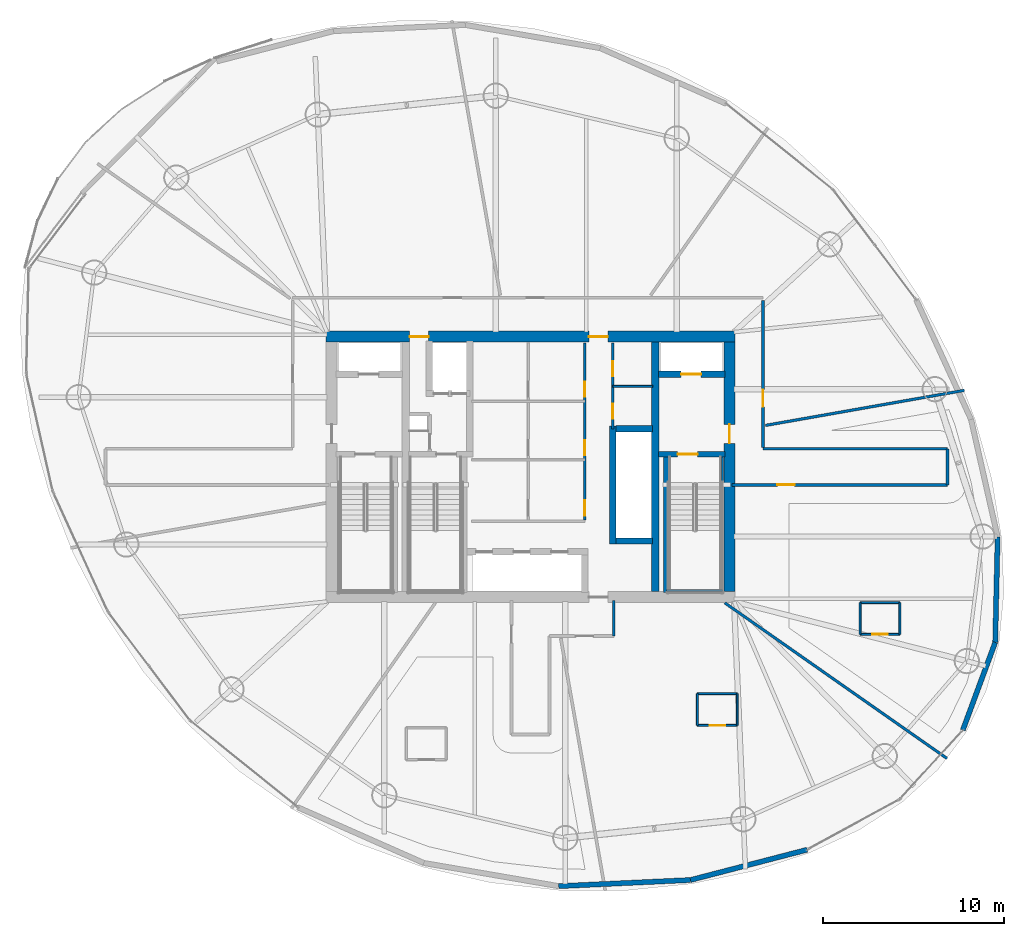
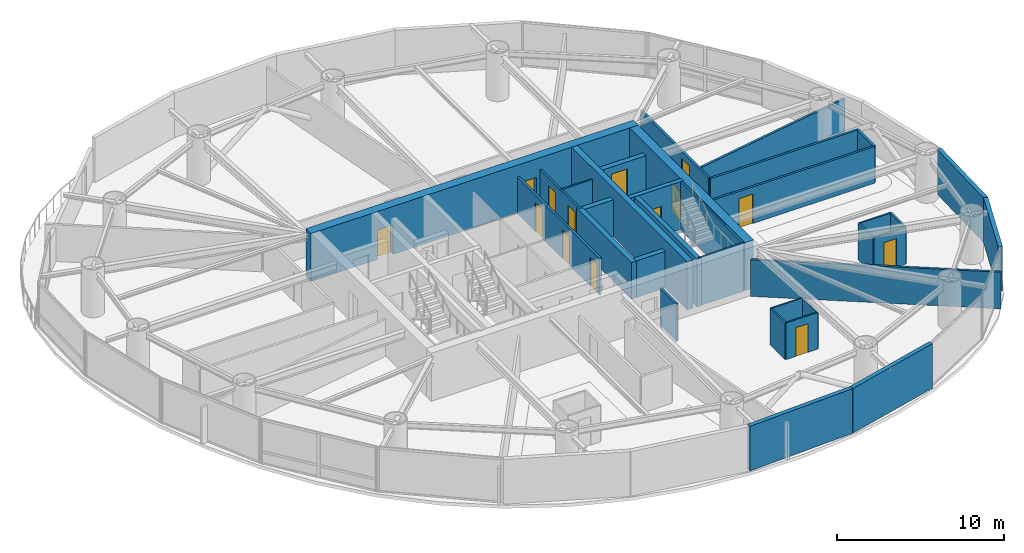
# One storey, part 16 of 20: 33 walls, 14 doors, 14 openings.
"""IFC4 building model written with IfcOpenShell, lengths in metres."""

from ifc_helpers import new_model, si_unit, direction, frame, frame_2d, origin, place, context, subcontext, project, spatial, rectangle, extrude, material, layer, layer_set, type_object, element, fill, save


model = new_model("IFC4")

# Units and contexts
model_context = context("Model", 3, precision=1e-05, world=origin(), true_north=direction((0.0, 1.0)))
body_context = subcontext(model_context, "Body", "Model", "MODEL_VIEW")
ifc_project = project(units=[si_unit("LENGTHUNIT", "METRE"), si_unit("AREAUNIT", "SQUARE_METRE"), si_unit("VOLUMEUNIT", "CUBIC_METRE"), si_unit("PLANEANGLEUNIT", "RADIAN"), si_unit("MASSUNIT", "GRAM", prefix="KILO")], contexts=[model_context])

# Site, building, storey
site_placement = place(None, origin())
site = spatial("IfcSite", under=ifc_project, at=site_placement, CompositionType="ELEMENT")
building_placement = place(site_placement, origin())
building = spatial("IfcBuilding", under=site, at=building_placement, Name="Bramvorn Convention Spire", CompositionType="ELEMENT")
storey_placement = place(building_placement, frame((0.0, 0.0, 155.300048828125)))
storey = spatial("IfcBuildingStorey", under=building, at=storey_placement, Name="L39", CompositionType="ELEMENT", Elevation=155.300048828125)

# Wall, openings, doors
ifc_material_1 = material(Name="Concrete C60/70", Category="concrete")
ifc_layer_1 = layer(ifc_material_1, 0.60009765625)
ifc_layer_set_1 = layer_set([ifc_layer_1], Name="Concrete C60/70 - WL-CORE-600")
wall_type_1 = type_object("IfcWallType", Name="WL-CORE-600", PredefinedType="SHEAR", material=ifc_layer_set_1)
wall_1_placement = place(storey_placement, frame((26.699951171875, 33.199951171875, 0.0), z_axis=(0.0, 0.0, 1.0), x_axis=(1.0, 0.0, 0.0)))
wall_1 = element("IfcWall", 1, at=wall_1_placement, inside=storey, type_object=wall_type_1, Name="L39 North RC core shear wall", PredefinedType="SHEAR", context=body_context, shape_type="SweptSolid", body=[
    extrude(rectangle(XDim=22.60009765625, YDim=0.60009765625, at=frame_2d((11.300048828125, 0.0))), origin(), (0.0, 0.0, 1.0), 3.5),
])
opening_1_placement = place(wall_1_placement, frame((4.6201171875, 0.0, 0.0)))
opening_1 = element("IfcOpeningElement", 2, at=opening_1_placement, cuts=wall_1, Name="Opening DL-105", PredefinedType="OPENING", context=body_context, shape_type="SweptSolid", body=[
    extrude(rectangle(XDim=1.050048828125, YDim=2.14990234375, at=frame_2d((0.52490234375, 1.074951171875))), frame((0.0, 0.31005859375, 0.0), z_axis=(0.0, -1.0, 0.0), x_axis=(1.0, 0.0, 0.0)), (0.0, 0.0, 1.0), 0.6201171875),
])
opening_2_placement = place(wall_1_placement, frame((14.52001953125, 0.0, 0.0)))
opening_2 = element("IfcOpeningElement", 3, at=opening_2_placement, cuts=wall_1, Name="Opening DL-105", PredefinedType="OPENING", context=body_context, shape_type="SweptSolid", body=[
    extrude(rectangle(XDim=1.050048828125, YDim=2.14990234375, at=frame_2d((0.52490234375, 1.074951171875))), frame((0.0, 0.31005859375, 0.0), z_axis=(0.0, -1.0, 0.0), x_axis=(1.0, 0.0, 0.0)), (0.0, 0.0, 1.0), 0.6201171875),
])
ifc_material_2 = material(Name="Smoke-Sealed Fire Lobby Timber-Core Door", Category="wood")
door_type_1 = type_object("IfcDoorType", Name="DR-LOBBY-1050", OperationType="NOTDEFINED", PredefinedType="DOOR", material=ifc_material_2)
door_1_placement = place(opening_1_placement, origin())
door_1 = element("IfcDoor", 4, at=door_1_placement, inside=storey, type_object=door_type_1, Name="L39 Service & Stair ST3 Lobby north corridor door", OperationType="SINGLE_SWING_LEFT", OverallHeight=2.14990234375, OverallWidth=1.050048828125, PredefinedType="DOOR", context=body_context, shape_type="SweptSolid", body=[
    extrude(rectangle(XDim=1.050048828125, YDim=2.14990234375, at=frame_2d((0.52490234375, 1.074951171875))), frame((0.0, 0.02490234375, 0.0), z_axis=(0.0, -1.0, 0.0), x_axis=(1.0, 0.0, 0.0)), (0.0, 0.0, 1.0), 0.050048828125),
])
fill(opening_1, door_1)
door_2_placement = place(opening_2_placement, origin())
door_2 = element("IfcDoor", 5, at=door_2_placement, inside=storey, type_object=door_type_1, Name="L39 North Lift Lobby fire door", OperationType="SINGLE_SWING_LEFT", OverallHeight=2.14990234375, OverallWidth=1.050048828125, PredefinedType="DOOR", context=body_context, shape_type="SweptSolid", body=[
    extrude(rectangle(XDim=1.050048828125, YDim=2.14990234375, at=frame_2d((0.52490234375, 1.074951171875))), frame((0.0, 0.02490234375, 0.0), z_axis=(0.0, -1.0, 0.0), x_axis=(1.0, 0.0, 0.0)), (0.0, 0.0, 1.0), 0.050048828125),
])
fill(opening_2, door_2)

# Wall, opening, door
wall_2_placement = place(storey_placement, frame((49.0, 19.10009765625, 0.0), z_axis=(0.0, 0.0, 1.0), x_axis=(0.0, 1.0, 0.0)))
wall_2 = element("IfcWall", 6, at=wall_2_placement, inside=storey, type_object=wall_type_1, Name="L39 East RC core shear wall", PredefinedType="SHEAR", context=body_context, shape_type="SweptSolid", body=[
    extrude(rectangle(XDim=13.7998046875, YDim=0.60009765625, at=frame_2d((6.89990234375, 0.0))), origin(), (0.0, 0.0, 1.0), 3.5),
])
opening_3_placement = place(wall_2_placement, frame((8.199951171875, 0.0, 0.0)))
opening_3 = element("IfcOpeningElement", 7, at=opening_3_placement, cuts=wall_2, Name="Opening DL-105", PredefinedType="OPENING", context=body_context, shape_type="SweptSolid", body=[
    extrude(rectangle(XDim=1.050048828125, YDim=2.14990234375, at=frame_2d((0.52490234375, 1.074951171875))), frame((0.0, 0.31005859375, 0.0), z_axis=(0.0, -1.0, 0.0), x_axis=(1.0, 0.0, 0.0)), (0.0, 0.0, 1.0), 0.6201171875),
])
door_3_placement = place(opening_3_placement, origin())
door_3 = element("IfcDoor", 8, at=door_3_placement, inside=storey, type_object=door_type_1, Name="L39 East Firefighting Lobby corridor door", OperationType="SINGLE_SWING_LEFT", OverallHeight=2.14990234375, OverallWidth=1.050048828125, PredefinedType="DOOR", context=body_context, shape_type="SweptSolid", body=[
    extrude(rectangle(XDim=1.050048828125, YDim=2.14990234375, at=frame_2d((0.52490234375, 1.074951171875))), frame((0.0, 0.02490234375, 0.0), z_axis=(0.0, -1.0, 0.0), x_axis=(1.0, 0.0, 0.0)), (0.0, 0.0, 1.0), 0.050048828125),
])
fill(opening_3, door_3)

ifc_material_3 = material(Name="Concrete C50/60", Category="concrete")
ifc_layer_2 = layer(ifc_material_3, 0.35009765625)
ifc_layer_set_2 = layer_set([ifc_layer_2], Name="Concrete C50/60 - WL-CORE-INT-350")
wall_type_2 = type_object("IfcWallType", Name="WL-CORE-INT-350", PredefinedType="SHEAR", material=ifc_layer_set_2)
wall_3_placement = place(storey_placement, frame((45.080078125, 31.1201171875, 0.0), z_axis=(0.0, 0.0, 1.0), x_axis=(1.0, 0.0, 0.0)))
wall_3 = element("IfcWall", 9, at=wall_3_placement, inside=storey, type_object=wall_type_2, Name="L39 FE2 shaft front wall", PredefinedType="SHEAR", context=body_context, shape_type="SweptSolid", body=[
    extrude(rectangle(XDim=3.669921875, YDim=0.35009765625, at=frame_2d((1.8349609375, 0.0))), origin(), (0.0, 0.0, 1.0), 2.675048828125),
])
opening_4_placement = place(wall_3_placement, frame((1.25, 0.0, 0.0)))
opening_4 = element("IfcOpeningElement", 10, at=opening_4_placement, cuts=wall_3, Name="Opening LD-110", PredefinedType="OPENING", context=body_context, shape_type="SweptSolid", body=[
    extrude(rectangle(XDim=1.10009765625, YDim=2.14990234375, at=frame_2d((0.550048828125, 1.074951171875))), frame((0.0, 0.18505859375, 0.0), z_axis=(0.0, -1.0, 0.0), x_axis=(1.0, 0.0, 0.0)), (0.0, 0.0, 1.0), 0.3701171875),
])
ifc_material_4 = material(Name="Firefighting & Service Lift Sliding Landing Door", Category="steel")
door_type_2 = type_object("IfcDoorType", Name="DR-LIFT-LD-1100", OperationType="NOTDEFINED", PredefinedType="DOOR", material=ifc_material_4)
door_4_placement = place(opening_4_placement, origin())
door_4 = element("IfcDoor", 11, at=door_4_placement, inside=storey, type_object=door_type_2, Name="L39 Lift FE2 Sliding Landing Door", OperationType="SLIDING_TO_LEFT", OverallHeight=2.14990234375, OverallWidth=1.10009765625, PredefinedType="DOOR", context=body_context, shape_type="SweptSolid", body=[
    extrude(rectangle(XDim=1.10009765625, YDim=2.14990234375, at=frame_2d((0.550048828125, 1.074951171875))), frame((0.0, 0.02490234375, 0.0), z_axis=(0.0, -1.0, 0.0), x_axis=(1.0, 0.0, 0.0)), (0.0, 0.0, 1.0), 0.050048828125),
])
fill(opening_4, door_4)

# Walls
wall_4_placement = place(storey_placement, frame((42.550048828125, 21.72998046875, 0.0), z_axis=(0.0, 0.0, 1.0), x_axis=(0.0, 1.0, 0.0)))
element("IfcWall", 12, at=wall_4_placement, inside=storey, type_object=wall_type_2, Name="L39 High-rise lift bank west wall", PredefinedType="SHEAR", context=body_context, shape_type="SweptSolid", body=[
    extrude(rectangle(XDim=6.5400390625, YDim=0.35009765625, at=frame_2d((3.27001953125, 0.0))), origin(), (0.0, 0.0, 1.0), 2.675048828125),
])
for number, where, z_axis, x_axis, name in (
    (13, (42.719970703125, 21.89990234375, 0.0), (0.0, 0.0, 1.0), (1.0, 0.0, 0.0), "L39 High-rise lift bank south wall"),
    (14, (42.719970703125, 28.10009765625, 0.0), (0.0, 0.0, 1.0), (1.0, 0.0, 0.0), "L39 High-rise lift bank north wall"),
):
    element("IfcWall", number, at=place(storey_placement, frame(where, z_axis=z_axis, x_axis=x_axis)), inside=storey, type_object=wall_type_2, Name=name, PredefinedType="SHEAR", context=body_context, shape_type="SweptSolid", body=[
        extrude(rectangle(XDim=2.030029296875, YDim=0.35009765625, at=frame_2d((1.01513671875, 0.0))), origin(), (0.0, 0.0, 1.0), 2.675048828125),
    ])
ifc_layer_3 = layer(ifc_material_1, 0.39990234375)
ifc_layer_set_3 = layer_set([ifc_layer_3], Name="Concrete C60/70 - WL-CORE-INT-400")
wall_type_3 = type_object("IfcWallType", Name="WL-CORE-INT-400", PredefinedType="SHEAR", material=ifc_layer_set_3)
wall_5_placement = place(storey_placement, frame((44.89990234375, 19.10009765625, 0.0), z_axis=(0.0, 0.0, 1.0), x_axis=(0.0, 1.0, 0.0)))
element("IfcWall", 15, at=wall_5_placement, inside=storey, type_object=wall_type_3, Name="L39 East internal core shear web", PredefinedType="SHEAR", context=body_context, shape_type="SweptSolid", body=[
    extrude(rectangle(XDim=13.7998046875, YDim=0.39990234375, at=frame_2d((6.89990234375, 0.0))), origin(), (0.0, 0.0, 1.0), 3.5),
])
ifc_material_5 = material(Name="Precast Concrete C40/50 with Bronze Terracotta Rainscreen", Category="masonry")
ifc_layer_4 = layer(ifc_material_5, 0.300048828125)
ifc_layer_set_4 = layer_set([ifc_layer_4], Name="Precast Concrete C40/50 with Bronze Terracotta Rainscreen - WL-EXT-BRONZE-300")
wall_type_4 = type_object("IfcWallType", Name="WL-EXT-BRONZE-300", PredefinedType="SOLIDWALL", material=ifc_layer_set_4)
wall_6_placement = place(storey_placement, frame((63.687744140625, 16.296875, 0.0), z_axis=(0.0, 0.0, 1.0), x_axis=(-0.346470541845, -0.938060852842, 0.0)))
element("IfcWall", 16, at=wall_6_placement, inside=storey, type_object=wall_type_4, Name="L39 expressed bronze Gothic lancet pier wall 01", PredefinedType="SOLIDWALL", context=body_context, shape_type="SweptSolid", body=[
    extrude(rectangle(XDim=5.17431640625, YDim=0.280029296875, at=frame_2d((2.587158203125, 0.0))), origin(), (0.0, 0.0, 1.0), 3.260009765625),
])
wall_7_placement = place(storey_placement, frame((63.82080078125, 22.1181640625, 0.0), z_axis=(0.0, 0.0, 1.0), x_axis=(-0.022850934885, -0.999738883296, 0.0)))
element("IfcWall", 17, at=wall_7_placement, inside=storey, type_object=wall_type_4, Name="L39 expressed bronze Gothic lancet pier wall 02", PredefinedType="SOLIDWALL", context=body_context, shape_type="SweptSolid", body=[
    extrude(rectangle(XDim=5.82275390625, YDim=0.280029296875, at=frame_2d((2.911376953125, 0.0))), origin(), (0.0, 0.0, 1.0), 3.260009765625),
])
wall_8_placement = place(storey_placement, frame((46.84130859375, 3.159912109375, 0.0), z_axis=(0.0, 0.0, 1.0), x_axis=(-0.998910234394, -0.0466727289, 0.0)))
element("IfcWall", 18, at=wall_8_placement, inside=storey, type_object=wall_type_4, Name="L39 expressed bronze Gothic lancet pier wall 21", PredefinedType="SOLIDWALL", context=body_context, shape_type="SweptSolid", body=[
    extrude(rectangle(XDim=7.2919921875, YDim=0.280029296875, at=frame_2d((3.64599609375, 0.0))), origin(), (0.0, 0.0, 1.0), 3.260009765625),
])
wall_9_placement = place(storey_placement, frame((53.292236328125, 4.835693359375, 0.0), z_axis=(0.0, 0.0, 1.0), x_axis=(-0.967875831239, -0.251428668419, 0.0)))
element("IfcWall", 19, at=wall_9_placement, inside=storey, type_object=wall_type_4, Name="L39 expressed bronze Gothic lancet pier wall 22", PredefinedType="SOLIDWALL", context=body_context, shape_type="SweptSolid", body=[
    extrude(rectangle(XDim=6.6650390625, YDim=0.280029296875, at=frame_2d((3.33251953125, 0.0))), origin(), (0.0, 0.0, 1.0), 3.260009765625),
])
ifc_material_6 = material(Name="Lightweight En-Suite & Wet-Wall Partition", Category="gypsum")
ifc_layer_5 = layer(ifc_material_6, 0.110107421875)
ifc_layer_set_5 = layer_set([ifc_layer_5], Name="Lightweight En-Suite & Wet-Wall Partition - WL-PART-110")
wall_type_5 = type_object("IfcWallType", Name="WL-PART-110", PredefinedType="PARTITIONING", material=ifc_layer_set_5)
wall_10_placement = place(storey_placement, frame((42.550048828125, 30.449951171875, 0.0), z_axis=(0.0, 0.0, 1.0), x_axis=(1.0, 0.0, 0.0)))
element("IfcWall", 20, at=wall_10_placement, inside=storey, type_object=wall_type_5, Name="L39 KB NE divider", PredefinedType="PARTITIONING", context=body_context, shape_type="SweptSolid", body=[
    extrude(rectangle(XDim=2.199951171875, YDim=0.110107421875, at=frame_2d((1.10009765625, 0.0))), origin(), (0.0, 0.0, 1.0), 2.675048828125),
])

# Wall, opening, door
wall_11_placement = place(storey_placement, frame((47.22705078125, 11.702880859375, 0.0), z_axis=(0.0, 0.0, 1.0), x_axis=(1.0, 0.0, 0.0)))
wall_11 = element("IfcWall", 21, at=wall_11_placement, inside=storey, type_object=wall_type_5, Name="Hotel Suite 3907 en-suite south wall", PredefinedType="PARTITIONING", context=body_context, shape_type="SweptSolid", body=[
    extrude(rectangle(XDim=2.199951171875, YDim=0.110107421875, at=frame_2d((1.10009765625, 0.0))), origin(), (0.0, 0.0, 1.0), 2.675048828125),
])
opening_5_placement = place(wall_11_placement, frame((0.679931640625, 0.0, 0.0)))
opening_5 = element("IfcOpeningElement", 22, at=opening_5_placement, cuts=wall_11, Name="Opening DI-085", PredefinedType="OPENING", context=body_context, shape_type="SweptSolid", body=[
    extrude(rectangle(XDim=0.85009765625, YDim=2.10009765625, at=frame_2d((0.425048828125, 1.050048828125))), frame((0.0, 0.06494140625, 0.0), z_axis=(0.0, -1.0, 0.0), x_axis=(1.0, 0.0, 0.0)), (0.0, 0.0, 1.0), 0.130126953125),
])
ifc_material_7 = material(Name="En-Suite & Restroom Privacy Door", Category="wood")
door_type_3 = type_object("IfcDoorType", Name="DR-INT-850", OperationType="NOTDEFINED", PredefinedType="DOOR", material=ifc_material_7)
door_5_placement = place(opening_5_placement, origin())
door_5 = element("IfcDoor", 23, at=door_5_placement, inside=storey, type_object=door_type_3, Name="Hotel Suite 3907 En-Suite Bathroom door", OperationType="SINGLE_SWING_LEFT", OverallHeight=2.10009765625, OverallWidth=0.85009765625, PredefinedType="DOOR", context=body_context, shape_type="SweptSolid", body=[
    extrude(rectangle(XDim=0.85009765625, YDim=2.10009765625, at=frame_2d((0.425048828125, 1.050048828125))), frame((0.0, 0.02490234375, 0.0), z_axis=(0.0, -1.0, 0.0), x_axis=(1.0, 0.0, 0.0)), (0.0, 0.0, 1.0), 0.050048828125),
])
fill(opening_5, door_5)

# Walls
wall_12_placement = place(storey_placement, frame((47.22705078125, 13.462890625, 0.0), z_axis=(0.0, 0.0, 1.0), x_axis=(1.0, 0.0, 0.0)))
element("IfcWall", 24, at=wall_12_placement, inside=storey, type_object=wall_type_5, Name="Hotel Suite 3907 en-suite north wall", PredefinedType="PARTITIONING", context=body_context, shape_type="SweptSolid", body=[
    extrude(rectangle(XDim=2.199951171875, YDim=0.110107421875, at=frame_2d((1.10009765625, 0.0))), origin(), (0.0, 0.0, 1.0), 2.675048828125),
])
for number, where, z_axis, x_axis, name in (
    (25, (47.22705078125, 11.702880859375, 0.0), (0.0, 0.0, 1.0), (0.0, 1.0, 0.0), "Hotel Suite 3907 en-suite west wall"),
    (26, (49.427001953125, 11.702880859375, 0.0), (0.0, 0.0, 1.0), (0.0, 1.0, 0.0), "Hotel Suite 3907 en-suite east wall"),
):
    element("IfcWall", number, at=place(storey_placement, frame(where, z_axis=z_axis, x_axis=x_axis)), inside=storey, type_object=wall_type_5, Name=name, PredefinedType="PARTITIONING", context=body_context, shape_type="SweptSolid", body=[
        extrude(rectangle(XDim=1.760009765625, YDim=0.110107421875, at=frame_2d((0.8798828125, 0.0))), origin(), (0.0, 0.0, 1.0), 2.675048828125),
    ])

# Wall, opening, door
wall_13_placement = place(storey_placement, frame((56.216796875, 16.737548828125, 0.0), z_axis=(0.0, 0.0, 1.0), x_axis=(1.0, 0.0, 0.0)))
wall_13 = element("IfcWall", 27, at=wall_13_placement, inside=storey, type_object=wall_type_5, Name="Hotel Suite 3908 en-suite south wall", PredefinedType="PARTITIONING", context=body_context, shape_type="SweptSolid", body=[
    extrude(rectangle(XDim=2.199951171875, YDim=0.110107421875, at=frame_2d((1.10009765625, 0.0))), origin(), (0.0, 0.0, 1.0), 2.675048828125),
])
opening_6_placement = place(wall_13_placement, frame((0.679931640625, 0.0, 0.0)))
opening_6 = element("IfcOpeningElement", 28, at=opening_6_placement, cuts=wall_13, Name="Opening DI-085", PredefinedType="OPENING", context=body_context, shape_type="SweptSolid", body=[
    extrude(rectangle(XDim=0.85009765625, YDim=2.10009765625, at=frame_2d((0.425048828125, 1.050048828125))), frame((0.0, 0.06494140625, 0.0), z_axis=(0.0, -1.0, 0.0), x_axis=(1.0, 0.0, 0.0)), (0.0, 0.0, 1.0), 0.130126953125),
])
door_6_placement = place(opening_6_placement, origin())
door_6 = element("IfcDoor", 29, at=door_6_placement, inside=storey, type_object=door_type_3, Name="Hotel Suite 3908 En-Suite Bathroom door", OperationType="SINGLE_SWING_LEFT", OverallHeight=2.10009765625, OverallWidth=0.85009765625, PredefinedType="DOOR", context=body_context, shape_type="SweptSolid", body=[
    extrude(rectangle(XDim=0.85009765625, YDim=2.10009765625, at=frame_2d((0.425048828125, 1.050048828125))), frame((0.0, 0.02490234375, 0.0), z_axis=(0.0, -1.0, 0.0), x_axis=(1.0, 0.0, 0.0)), (0.0, 0.0, 1.0), 0.050048828125),
])
fill(opening_6, door_6)

# Walls
wall_14_placement = place(storey_placement, frame((56.216796875, 18.49755859375, 0.0), z_axis=(0.0, 0.0, 1.0), x_axis=(1.0, 0.0, 0.0)))
element("IfcWall", 30, at=wall_14_placement, inside=storey, type_object=wall_type_5, Name="Hotel Suite 3908 en-suite north wall", PredefinedType="PARTITIONING", context=body_context, shape_type="SweptSolid", body=[
    extrude(rectangle(XDim=2.199951171875, YDim=0.110107421875, at=frame_2d((1.10009765625, 0.0))), origin(), (0.0, 0.0, 1.0), 2.675048828125),
])
for number, where, z_axis, x_axis, name in (
    (31, (56.216796875, 16.737548828125, 0.0), (0.0, 0.0, 1.0), (0.0, 1.0, 0.0), "Hotel Suite 3908 en-suite west wall"),
    (32, (58.416748046875, 16.737548828125, 0.0), (0.0, 0.0, 1.0), (0.0, 1.0, 0.0), "Hotel Suite 3908 en-suite east wall"),
):
    element("IfcWall", number, at=place(storey_placement, frame(where, z_axis=z_axis, x_axis=x_axis)), inside=storey, type_object=wall_type_5, Name=name, PredefinedType="PARTITIONING", context=body_context, shape_type="SweptSolid", body=[
        extrude(rectangle(XDim=1.760009765625, YDim=0.110107421875, at=frame_2d((0.8798828125, 0.0))), origin(), (0.0, 0.0, 1.0), 2.675048828125),
    ])

# Wall, openings, doors
ifc_material_8 = material(Name="Metal-Stud Demountable Office Partition", Category="gypsum")
ifc_layer_6 = layer(ifc_material_8, 0.1298828125)
ifc_layer_set_6 = layer_set([ifc_layer_6], Name="Metal-Stud Demountable Office Partition - WL-PART-130")
wall_type_6 = type_object("IfcWallType", Name="WL-PART-130", PredefinedType="PARTITIONING", material=ifc_layer_set_6)
wall_15_placement = place(storey_placement, frame((42.550048828125, 28.10009765625, 0.0), z_axis=(0.0, 0.0, 1.0), x_axis=(0.0, 1.0, 0.0)))
wall_15 = element("IfcWall", 33, at=wall_15_placement, inside=storey, type_object=wall_type_6, Name="L39 KB NE split wall", PredefinedType="PARTITIONING", context=body_context, shape_type="SweptSolid", body=[
    extrude(rectangle(XDim=4.75, YDim=0.1298828125, at=frame_2d((2.375, 0.0))), origin(), (0.0, 0.0, 1.0), 2.675048828125),
])
opening_7_placement = place(wall_15_placement, frame((0.550048828125, 0.0, 0.0)))
opening_7 = element("IfcOpeningElement", 34, at=opening_7_placement, cuts=wall_15, Name="Opening DC-085", PredefinedType="OPENING", context=body_context, shape_type="SweptSolid", body=[
    extrude(rectangle(XDim=0.85009765625, YDim=2.10009765625, at=frame_2d((0.425048828125, 1.050048828125))), frame((0.0, 0.074951171875, 0.0), z_axis=(0.0, -1.0, 0.0), x_axis=(1.0, 0.0, 0.0)), (0.0, 0.0, 1.0), 0.14990234375),
])
opening_8_placement = place(wall_15_placement, frame((2.89990234375, 0.0, 0.0)))
opening_8 = element("IfcOpeningElement", 35, at=opening_8_placement, cuts=wall_15, Name="Opening DC-085", PredefinedType="OPENING", context=body_context, shape_type="SweptSolid", body=[
    extrude(rectangle(XDim=0.85009765625, YDim=2.10009765625, at=frame_2d((0.425048828125, 1.050048828125))), frame((0.0, 0.074951171875, 0.0), z_axis=(0.0, -1.0, 0.0), x_axis=(1.0, 0.0, 0.0)), (0.0, 0.0, 1.0), 0.14990234375),
])
ifc_material_9 = material(Name="Fire-Rated Core Washroom & IDF Door", Category="wood")
door_type_4 = type_object("IfcDoorType", Name="DR-CORE-850", OperationType="NOTDEFINED", PredefinedType="DOOR", material=ifc_material_9)
door_7_placement = place(opening_7_placement, origin())
door_7 = element("IfcDoor", 36, at=door_7_placement, inside=storey, type_object=door_type_4, Name="L39 Core Staff WC door", OperationType="SINGLE_SWING_LEFT", OverallHeight=2.10009765625, OverallWidth=0.85009765625, PredefinedType="DOOR", context=body_context, shape_type="SweptSolid", body=[
    extrude(rectangle(XDim=0.85009765625, YDim=2.10009765625, at=frame_2d((0.425048828125, 1.050048828125))), frame((0.0, 0.02490234375, 0.0), z_axis=(0.0, -1.0, 0.0), x_axis=(1.0, 0.0, 0.0)), (0.0, 0.0, 1.0), 0.050048828125),
])
fill(opening_7, door_7)
door_8_placement = place(opening_8_placement, origin())
door_8 = element("IfcDoor", 37, at=door_8_placement, inside=storey, type_object=door_type_4, Name="L39 Core Data Closet door", OperationType="SINGLE_SWING_LEFT", OverallHeight=2.10009765625, OverallWidth=0.85009765625, PredefinedType="DOOR", context=body_context, shape_type="SweptSolid", body=[
    extrude(rectangle(XDim=0.85009765625, YDim=2.10009765625, at=frame_2d((0.425048828125, 1.050048828125))), frame((0.0, 0.02490234375, 0.0), z_axis=(0.0, -1.0, 0.0), x_axis=(1.0, 0.0, 0.0)), (0.0, 0.0, 1.0), 0.050048828125),
])
fill(opening_8, door_8)

ifc_material_10 = material(Name="Acoustic Metal-Stud Tenant/Corridor Partition", Category="gypsum")
ifc_layer_7 = layer(ifc_material_10, 0.14990234375)
ifc_layer_set_7 = layer_set([ifc_layer_7], Name="Acoustic Metal-Stud Tenant/Corridor Partition - WL-PART-150")
wall_type_7 = type_object("IfcWallType", Name="WL-PART-150", PredefinedType="PARTITIONING", material=ifc_layer_set_7)
wall_16_placement = place(storey_placement, frame((41.0, 23.050048828125, 0.0), z_axis=(0.0, 0.0, 1.0), x_axis=(0.0, 1.0, 0.0)))
wall_16 = element("IfcWall", 38, at=wall_16_placement, inside=storey, type_object=wall_type_7, Name="L39 KB east core wall", PredefinedType="PARTITIONING", context=body_context, shape_type="SweptSolid", body=[
    extrude(rectangle(XDim=9.800048828125, YDim=0.14990234375, at=frame_2d((4.89990234375, 0.0))), origin(), (0.0, 0.0, 1.0), 2.675048828125),
])
opening_9_placement = place(wall_16_placement, frame((0.25, 0.0, 0.0)))
opening_9 = element("IfcOpeningElement", 39, at=opening_9_placement, cuts=wall_16, Name="Opening DC-085", PredefinedType="OPENING", context=body_context, shape_type="SweptSolid", body=[
    extrude(rectangle(XDim=0.85009765625, YDim=2.10009765625, at=frame_2d((0.425048828125, 1.050048828125))), frame((0.0, 0.0849609375, 0.0), z_axis=(0.0, -1.0, 0.0), x_axis=(1.0, 0.0, 0.0)), (0.0, 0.0, 1.0), 0.169921875),
])
opening_10_placement = place(wall_16_placement, frame((3.58203125, 0.0, 0.0)))
opening_10 = element("IfcOpeningElement", 40, at=opening_10_placement, cuts=wall_16, Name="Opening DC-085", PredefinedType="OPENING", context=body_context, shape_type="SweptSolid", body=[
    extrude(rectangle(XDim=0.85009765625, YDim=2.10009765625, at=frame_2d((0.425048828125, 1.050048828125))), frame((0.0, 0.0849609375, 0.0), z_axis=(0.0, -1.0, 0.0), x_axis=(1.0, 0.0, 0.0)), (0.0, 0.0, 1.0), 0.169921875),
])
opening_11_placement = place(wall_16_placement, frame((6.81591796875, 0.0, 0.0)))
opening_11 = element("IfcOpeningElement", 41, at=opening_11_placement, cuts=wall_16, Name="Opening DC-085", PredefinedType="OPENING", context=body_context, shape_type="SweptSolid", body=[
    extrude(rectangle(XDim=0.85009765625, YDim=2.10009765625, at=frame_2d((0.425048828125, 1.050048828125))), frame((0.0, 0.0849609375, 0.0), z_axis=(0.0, -1.0, 0.0), x_axis=(1.0, 0.0, 0.0)), (0.0, 0.0, 1.0), 0.169921875),
])
door_9_placement = place(opening_9_placement, origin())
door_9 = element("IfcDoor", 42, at=door_9_placement, inside=storey, type_object=door_type_4, Name="L39 Accessible Core Restroom door", OperationType="SINGLE_SWING_LEFT", OverallHeight=2.10009765625, OverallWidth=0.85009765625, PredefinedType="DOOR", context=body_context, shape_type="SweptSolid", body=[
    extrude(rectangle(XDim=0.85009765625, YDim=2.10009765625, at=frame_2d((0.425048828125, 1.050048828125))), frame((0.0, 0.02490234375, 0.0), z_axis=(0.0, -1.0, 0.0), x_axis=(1.0, 0.0, 0.0)), (0.0, 0.0, 1.0), 0.050048828125),
])
fill(opening_9, door_9)
door_10_placement = place(opening_10_placement, origin())
door_10 = element("IfcDoor", 43, at=door_10_placement, inside=storey, type_object=door_type_4, Name="L39 Floor Housekeeping & Linen Store door", OperationType="SINGLE_SWING_LEFT", OverallHeight=2.10009765625, OverallWidth=0.85009765625, PredefinedType="DOOR", context=body_context, shape_type="SweptSolid", body=[
    extrude(rectangle(XDim=0.85009765625, YDim=2.10009765625, at=frame_2d((0.425048828125, 1.050048828125))), frame((0.0, 0.02490234375, 0.0), z_axis=(0.0, -1.0, 0.0), x_axis=(1.0, 0.0, 0.0)), (0.0, 0.0, 1.0), 0.050048828125),
])
fill(opening_10, door_10)
door_11_placement = place(opening_11_placement, origin())
door_11 = element("IfcDoor", 44, at=door_11_placement, inside=storey, type_object=door_type_4, Name="L39 Gender-Neutral Core WC door", OperationType="SINGLE_SWING_LEFT", OverallHeight=2.10009765625, OverallWidth=0.85009765625, PredefinedType="DOOR", context=body_context, shape_type="SweptSolid", body=[
    extrude(rectangle(XDim=0.85009765625, YDim=2.10009765625, at=frame_2d((0.425048828125, 1.050048828125))), frame((0.0, 0.02490234375, 0.0), z_axis=(0.0, -1.0, 0.0), x_axis=(1.0, 0.0, 0.0)), (0.0, 0.0, 1.0), 0.050048828125),
])
fill(opening_11, door_11)

# Wall, opening, door
wall_17_placement = place(storey_placement, frame((50.85009765625, 27.080078125, 0.0), z_axis=(0.0, 0.0, 1.0), x_axis=(0.0, 1.0, 0.0)))
wall_17 = element("IfcWall", 45, at=wall_17_placement, inside=storey, type_object=wall_type_7, Name="L39 NE gallery cheek", PredefinedType="PARTITIONING", context=body_context, shape_type="SweptSolid", body=[
    extrude(rectangle(XDim=8.119873046875, YDim=0.14990234375, at=frame_2d((4.06005859375, 0.0))), origin(), (0.0, 0.0, 1.0), 2.675048828125),
])
opening_12_placement = place(wall_17_placement, frame((2.238037109375, 0.0, 0.0)))
opening_12 = element("IfcOpeningElement", 46, at=opening_12_placement, cuts=wall_17, Name="Opening DH-095", PredefinedType="OPENING", context=body_context, shape_type="SweptSolid", body=[
    extrude(rectangle(XDim=0.949951171875, YDim=2.14990234375, at=frame_2d((0.47509765625, 1.074951171875))), frame((0.0, 0.0849609375, 0.0), z_axis=(0.0, -1.0, 0.0), x_axis=(1.0, 0.0, 0.0)), (0.0, 0.0, 1.0), 0.169921875),
])
ifc_material_11 = material(Name="Solid-Core Acoustic Guestroom Entry Door", Category="wood")
door_type_5 = type_object("IfcDoorType", Name="DR-HOTEL-950", OperationType="NOTDEFINED", PredefinedType="DOOR", material=ifc_material_11)
door_12_placement = place(opening_12_placement, origin())
door_12 = element("IfcDoor", 47, at=door_12_placement, inside=storey, type_object=door_type_5, Name="L39 Hospitality Lounge 1 door", OperationType="SINGLE_SWING_RIGHT", OverallHeight=2.14990234375, OverallWidth=0.949951171875, PredefinedType="DOOR", context=body_context, shape_type="SweptSolid", body=[
    extrude(rectangle(XDim=0.949951171875, YDim=2.14990234375, at=frame_2d((0.47509765625, 1.074951171875))), frame((0.0, 0.02490234375, 0.0), z_axis=(0.0, -1.0, 0.0), x_axis=(1.0, 0.0, 0.0)), (0.0, 0.0, 1.0), 0.050048828125),
])
fill(opening_12, door_12)

# Wall
wall_18_placement = place(storey_placement, frame((50.85009765625, 27.0, 0.0), z_axis=(0.0, 0.0, 1.0), x_axis=(1.0, 0.0, 0.0)))
element("IfcWall", 48, at=wall_18_placement, inside=storey, type_object=wall_type_7, Name="L39 East wing spine north wall", PredefinedType="PARTITIONING", context=body_context, shape_type="SweptSolid", body=[
    extrude(rectangle(XDim=10.195068359375, YDim=0.14990234375, at=frame_2d((5.09765625, 0.0))), origin(), (0.0, 0.0, 1.0), 2.675048828125),
])

# Wall, opening, door
wall_19_placement = place(storey_placement, frame((49.14990234375, 25.0, 0.0), z_axis=(0.0, 0.0, 1.0), x_axis=(1.0, 0.0, 0.0)))
wall_19 = element("IfcWall", 49, at=wall_19_placement, inside=storey, type_object=wall_type_7, Name="L39 East wing spine south wall", PredefinedType="PARTITIONING", context=body_context, shape_type="SweptSolid", body=[
    extrude(rectangle(XDim=11.895263671875, YDim=0.14990234375, at=frame_2d((5.94775390625, 0.0))), origin(), (0.0, 0.0, 1.0), 2.675048828125),
])
opening_13_placement = place(wall_19_placement, frame((2.498779296875, 0.0, 0.0)))
opening_13 = element("IfcOpeningElement", 50, at=opening_13_placement, cuts=wall_19, Name="Opening DH-095", PredefinedType="OPENING", context=body_context, shape_type="SweptSolid", body=[
    extrude(rectangle(XDim=0.949951171875, YDim=2.14990234375, at=frame_2d((0.47509765625, 1.074951171875))), frame((0.0, 0.0849609375, 0.0), z_axis=(0.0, -1.0, 0.0), x_axis=(1.0, 0.0, 0.0)), (0.0, 0.0, 1.0), 0.169921875),
])
door_13_placement = place(opening_13_placement, origin())
door_13 = element("IfcDoor", 51, at=door_13_placement, inside=storey, type_object=door_type_5, Name="Hotel Suite 3908 entry door", OperationType="SINGLE_SWING_LEFT", OverallHeight=2.14990234375, OverallWidth=0.949951171875, PredefinedType="DOOR", context=body_context, shape_type="SweptSolid", body=[
    extrude(rectangle(XDim=0.949951171875, YDim=2.14990234375, at=frame_2d((0.47509765625, 1.074951171875))), frame((0.0, 0.02490234375, 0.0), z_axis=(0.0, -1.0, 0.0), x_axis=(1.0, 0.0, 0.0)), (0.0, 0.0, 1.0), 0.050048828125),
])
fill(opening_13, door_13)

# Walls
wall_20_placement = place(storey_placement, frame((61.045166015625, 25.0, 0.0), z_axis=(0.0, 0.0, 1.0), x_axis=(0.0, 1.0, 0.0)))
element("IfcWall", 52, at=wall_20_placement, inside=storey, type_object=wall_type_7, Name="L39 East wing spine end wall", PredefinedType="PARTITIONING", context=body_context, shape_type="SweptSolid", body=[
    extrude(rectangle(XDim=2.0, YDim=0.14990234375, at=frame_2d((1.0, 0.0))), origin(), (0.0, 0.0, 1.0), 2.675048828125),
])
wall_21_placement = place(storey_placement, frame((42.60009765625, 16.64990234375, 0.0), z_axis=(0.0, 0.0, 1.0), x_axis=(0.0, 1.0, 0.0)))
element("IfcWall", 53, at=wall_21_placement, inside=storey, type_object=wall_type_7, Name="L39 South lift lobby east cheek", PredefinedType="PARTITIONING", context=body_context, shape_type="SweptSolid", body=[
    extrude(rectangle(XDim=1.9501953125, YDim=0.14990234375, at=frame_2d((0.97509765625, 0.0))), origin(), (0.0, 0.0, 1.0), 2.675048828125),
])
wall_22_placement = place(storey_placement, frame((50.989990234375, 28.29052734375, 0.0), z_axis=(0.0, 0.0, 1.0), x_axis=(0.984807550948, 0.173649323627, 0.0)))
element("IfcWall", 54, at=wall_22_placement, inside=storey, type_object=wall_type_7, Name="L39 Guestroom demising wall 1", PredefinedType="PARTITIONING", context=body_context, shape_type="SweptSolid", body=[
    extrude(rectangle(XDim=11.161865234375, YDim=0.14990234375, at=frame_2d((5.5810546875, 0.0))), origin(), (0.0, 0.0, 1.0), 2.675048828125),
])
wall_23_placement = place(storey_placement, frame((48.73974609375, 18.47998046875, 0.0), z_axis=(0.0, 0.0, 1.0), x_axis=(0.819145510829, -0.573585766986, 0.0)))
element("IfcWall", 55, at=wall_23_placement, inside=storey, type_object=wall_type_7, Name="L39 Guestroom demising wall 8", PredefinedType="PARTITIONING", context=body_context, shape_type="SweptSolid", body=[
    extrude(rectangle(XDim=15.000732421875, YDim=0.14990234375, at=frame_2d((7.50048828125, 0.0))), origin(), (0.0, 0.0, 1.0), 2.675048828125),
])

# Wall, opening, door
ifc_layer_8 = layer(ifc_material_3, 0.300048828125)
ifc_layer_set_8 = layer_set([ifc_layer_8], Name="Concrete C50/60 - WL-POD-STAIR-300")
wall_type_8 = type_object("IfcWallType", Name="WL-POD-STAIR-300", PredefinedType="SHEAR", material=ifc_layer_set_8)
wall_24_placement = place(storey_placement, frame((45.080078125, 26.68994140625, 0.0), z_axis=(0.0, 0.0, 1.0), x_axis=(1.0, 0.0, 0.0)))
wall_24 = element("IfcWall", 56, at=wall_24_placement, inside=storey, type_object=wall_type_8, Name="L39 ST2 north fire wall", PredefinedType="SHEAR", context=body_context, shape_type="SweptSolid", body=[
    extrude(rectangle(XDim=3.669921875, YDim=0.300048828125, at=frame_2d((1.8349609375, 0.0))), origin(), (0.0, 0.0, 1.0), 3.5),
])
opening_14_placement = place(wall_24_placement, frame((1.050048828125, 0.0, 0.0)))
opening_14 = element("IfcOpeningElement", 57, at=opening_14_placement, cuts=wall_24, Name="Opening DS-110", PredefinedType="OPENING", context=body_context, shape_type="SweptSolid", body=[
    extrude(rectangle(XDim=1.10009765625, YDim=2.14990234375, at=frame_2d((0.550048828125, 1.074951171875))), frame((0.0, 0.159912109375, 0.0), z_axis=(0.0, -1.0, 0.0), x_axis=(1.0, 0.0, 0.0)), (0.0, 0.0, 1.0), 0.320068359375),
])
ifc_material_12 = material(Name="Fire-Rated Hollow Steel Stairwell Door", Category="steel")
door_type_6 = type_object("IfcDoorType", Name="DR-STAIR-1100", OperationType="NOTDEFINED", PredefinedType="DOOR", material=ifc_material_12)
door_14_placement = place(opening_14_placement, origin())
door_14 = element("IfcDoor", 58, at=door_14_placement, inside=storey, type_object=door_type_6, Name="L39 Stair ST2 fire door", OperationType="SINGLE_SWING_RIGHT", OverallHeight=2.14990234375, OverallWidth=1.10009765625, PredefinedType="DOOR", context=body_context, shape_type="SweptSolid", body=[
    extrude(rectangle(XDim=1.10009765625, YDim=2.14990234375, at=frame_2d((0.550048828125, 1.074951171875))), frame((0.0, 0.02490234375, 0.0), z_axis=(0.0, -1.0, 0.0), x_axis=(1.0, 0.0, 0.0)), (0.0, 0.0, 1.0), 0.050048828125),
])
fill(opening_14, door_14)

# Walls
wall_25_placement = place(storey_placement, frame((45.510009765625, 19.050048828125, 0.0), z_axis=(0.0, 0.0, 1.0), x_axis=(0.0, 1.0, 0.0)))
element("IfcWall", 59, at=wall_25_placement, inside=storey, type_object=wall_type_8, Name="L39 ST2 west bearing wall", PredefinedType="SHEAR", context=body_context, shape_type="SweptSolid", body=[
    extrude(rectangle(XDim=7.5, YDim=0.300048828125, at=frame_2d((3.75, 0.0))), origin(), (0.0, 0.0, 1.0), 3.5),
])
ifc_layer_9 = layer(ifc_material_3, 0.1201171875)
ifc_layer_set_9 = layer_set([ifc_layer_9], Name="Concrete C50/60 - WL-STAIR-RC-120")
wall_type_9 = type_object("IfcWallType", Name="WL-STAIR-RC-120", PredefinedType="SHEAR", material=ifc_layer_set_9)
wall_26_placement = place(storey_placement, frame((48.60498046875, 19.10009765625, 0.0), z_axis=(0.0, 0.0, 1.0), x_axis=(0.0, 1.0, 0.0)))
element("IfcWall", 60, at=wall_26_placement, inside=storey, type_object=wall_type_9, Name="L39 ST2 east bearing shear wall", PredefinedType="SHEAR", context=body_context, shape_type="SweptSolid", body=[
    extrude(rectangle(XDim=7.449951171875, YDim=0.1201171875, at=frame_2d((3.72509765625, 0.0))), origin(), (0.0, 0.0, 1.0), 3.5),
])
wall_27_placement = place(storey_placement, frame((45.510009765625, 19.159912109375, 0.0), z_axis=(0.0, 0.0, 1.0), x_axis=(1.0, 0.0, 0.0)))
element("IfcWall", 61, at=wall_27_placement, inside=storey, type_object=wall_type_9, Name="L39 ST2 south bearing shear wall", PredefinedType="SHEAR", context=body_context, shape_type="SweptSolid", body=[
    extrude(rectangle(XDim=3.094970703125, YDim=0.1201171875, at=frame_2d((1.54736328125, 0.0))), origin(), (0.0, 0.0, 1.0), 3.5),
])

save(model, "model.ifc")
